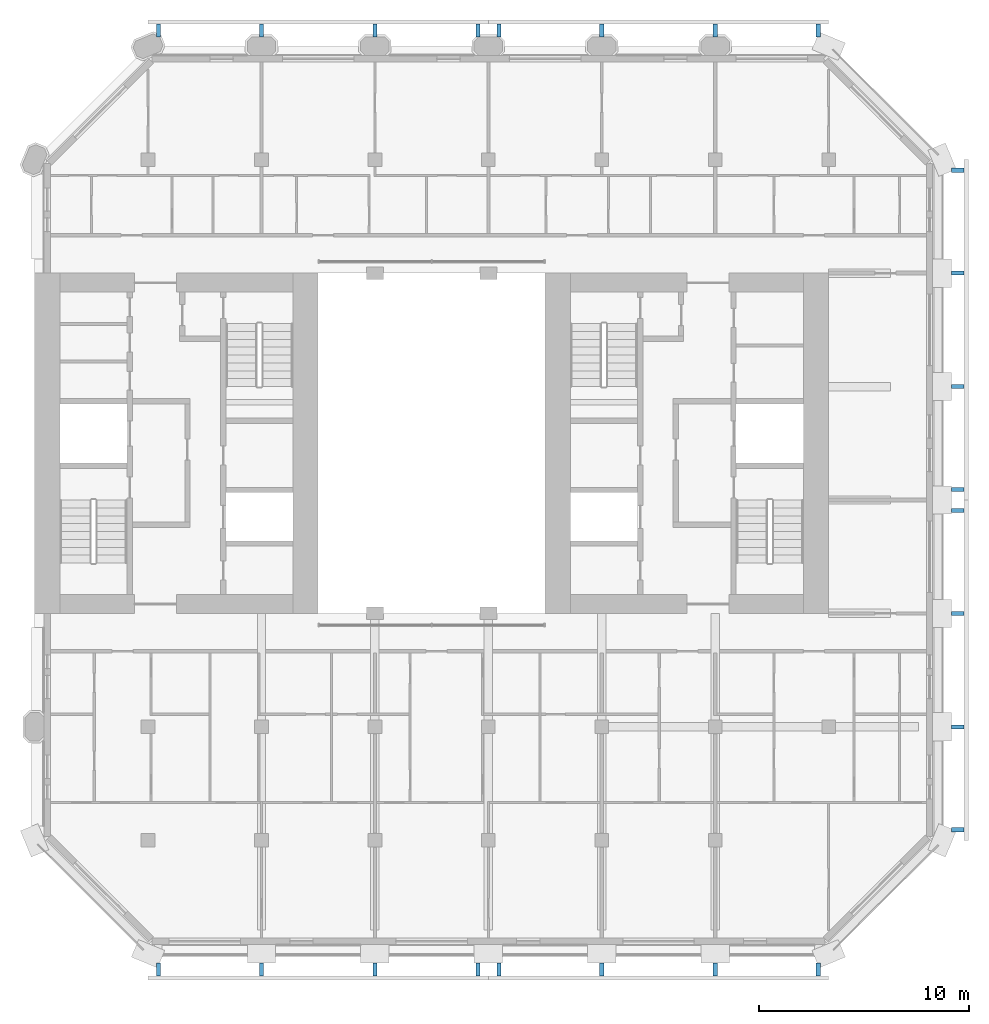
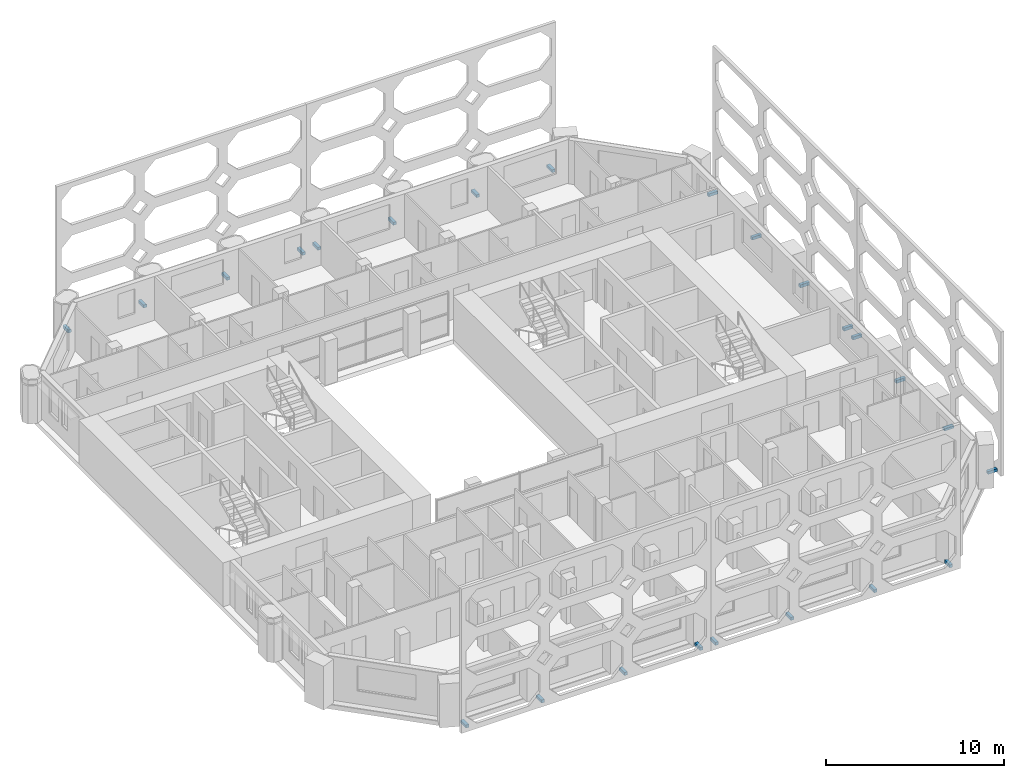
# One storey, part 12 of 15: 24 discrete accessories.
"""IFC4 building model written with IfcOpenShell, lengths in metres."""

from ifc_helpers import new_model, si_unit, direction, frame, origin, origin_2d, place, context, subcontext, project, spatial, rectangle, extrude, element, save


model = new_model("IFC4")

# Units and contexts
model_context = context("Model", 3, precision=1e-05, world=origin(), true_north=direction((0.0, 1.0)))
body_context = subcontext(model_context, "Body", "Model", "MODEL_VIEW")
ifc_project = project(units=[si_unit("LENGTHUNIT", "METRE"), si_unit("AREAUNIT", "SQUARE_METRE"), si_unit("VOLUMEUNIT", "CUBIC_METRE"), si_unit("PLANEANGLEUNIT", "RADIAN"), si_unit("MASSUNIT", "GRAM", prefix="KILO")], contexts=[model_context])

# Site, building, storey
site_placement = place(None, origin())
site = spatial("IfcSite", under=ifc_project, at=site_placement, CompositionType="ELEMENT")
building_placement = place(site_placement, origin())
building = spatial("IfcBuilding", under=site, at=building_placement, Name="Tabaq Tower and Sports Hall", CompositionType="ELEMENT")
storey_placement = place(building_placement, frame((0.0, 0.0, 278.5)))
storey = spatial("IfcBuildingStorey", under=building, at=storey_placement, Name="L68", CompositionType="ELEMENT", Elevation=278.5)

# Discrete accessories
for number, where, z_axis, x_axis, name in (
    (1, (11.300048828125, -0.75, 0.10009765625), (0.0, 0.0, 1.0), (0.0, -1.0, 0.0), "Stainless steel bracket"),
    (2, (16.199951171875, -0.75, 0.10009765625), (0.0, 0.0, 1.0), (0.0, -1.0, 0.0), "Stainless steel bracket"),
    (3, (21.60009765625, -0.75, 0.10009765625), (0.0, 0.0, 1.0), (0.0, -1.0, 0.0), "Stainless steel bracket"),
    (4, (26.5, -0.75, 0.10009765625), (0.0, 0.0, 1.0), (0.0, -1.0, 0.0), "Stainless steel bracket"),
    (5, (27.5, -0.75, 0.10009765625), (0.0, 0.0, 1.0), (0.0, -1.0, 0.0), "Stainless steel bracket"),
    (6, (32.39990234375, -0.75, 0.10009765625), (0.0, 0.0, 1.0), (0.0, -1.0, 0.0), "Stainless steel bracket"),
    (7, (37.800048828125, -0.75, 0.10009765625), (0.0, 0.0, 1.0), (0.0, -1.0, 0.0), "Stainless steel bracket"),
    (8, (42.699951171875, -0.75, 0.10009765625), (0.0, 0.0, 1.0), (0.0, -1.0, 0.0), "Stainless steel bracket"),
    (9, (49.35009765625, 5.89990234375, 0.10009765625), (0.0, 0.0, 1.0), (1.0, 0.0, 0.0), "Stainless steel bracket"),
    (10, (49.35009765625, 10.800048828125, 0.10009765625), (0.0, 0.0, 1.0), (1.0, 0.0, 0.0), "Stainless steel bracket"),
    (11, (49.35009765625, 16.199951171875, 0.10009765625), (0.0, 0.0, 1.0), (1.0, 0.0, 0.0), "Stainless steel bracket"),
    (12, (49.35009765625, 21.10009765625, 0.10009765625), (0.0, 0.0, 1.0), (1.0, 0.0, 0.0), "Stainless steel bracket"),
    (13, (49.35009765625, 22.10009765625, 0.10009765625), (0.0, 0.0, 1.0), (1.0, 0.0, 0.0), "Stainless steel bracket"),
    (14, (49.35009765625, 27.0, 0.10009765625), (0.0, 0.0, 1.0), (1.0, 0.0, 0.0), "Stainless steel bracket"),
    (15, (49.35009765625, 32.39990234375, 0.10009765625), (0.0, 0.0, 1.0), (1.0, 0.0, 0.0), "Stainless steel bracket"),
    (16, (49.35009765625, 37.300048828125, 0.10009765625), (0.0, 0.0, 1.0), (1.0, 0.0, 0.0), "Stainless steel bracket"),
    (17, (42.699951171875, 43.949951171875, 0.10009765625), (0.0, 0.0, 1.0), (0.0, 1.0, 0.0), "Stainless steel bracket"),
    (18, (37.800048828125, 43.949951171875, 0.10009765625), (0.0, 0.0, 1.0), (0.0, 1.0, 0.0), "Stainless steel bracket"),
    (19, (32.39990234375, 43.949951171875, 0.10009765625), (0.0, 0.0, 1.0), (0.0, 1.0, 0.0), "Stainless steel bracket"),
    (20, (27.5, 43.949951171875, 0.10009765625), (0.0, 0.0, 1.0), (0.0, 1.0, 0.0), "Stainless steel bracket"),
    (21, (26.5, 43.949951171875, 0.10009765625), (0.0, 0.0, 1.0), (0.0, 1.0, 0.0), "Stainless steel bracket"),
    (22, (21.60009765625, 43.949951171875, 0.10009765625), (0.0, 0.0, 1.0), (0.0, 1.0, 0.0), "Stainless steel bracket"),
    (23, (16.199951171875, 43.949951171875, 0.10009765625), (0.0, 0.0, 1.0), (0.0, 1.0, 0.0), "Stainless steel bracket"),
    (24, (11.300048828125, 43.949951171875, 0.10009765625), (0.0, 0.0, 1.0), (0.0, 1.0, 0.0), "Stainless steel bracket"),
):
    element("IfcDiscreteAccessory", number, at=place(storey_placement, frame(where, z_axis=z_axis, x_axis=x_axis)), inside=storey, Name=name, PredefinedType="BRACKET", context=body_context, shape_type="SweptSolid", body=[
        extrude(rectangle(XDim=0.60009765625, YDim=0.199951171875, at=origin_2d()), origin(), (0.0, 0.0, 1.0), 0.199951171875),
    ])

save(model, "model.ifc")
